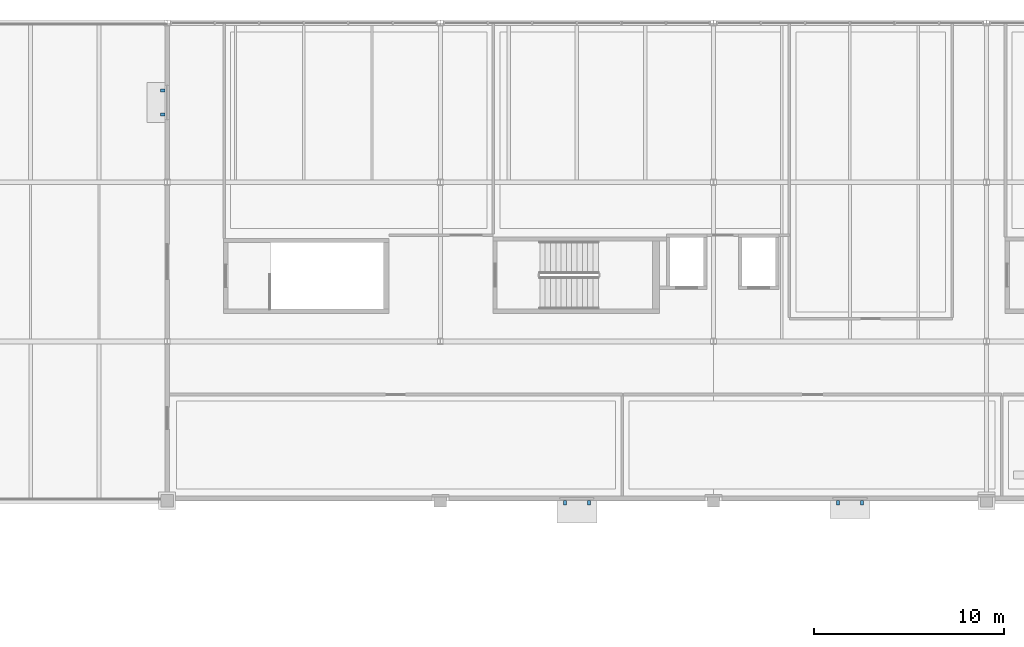
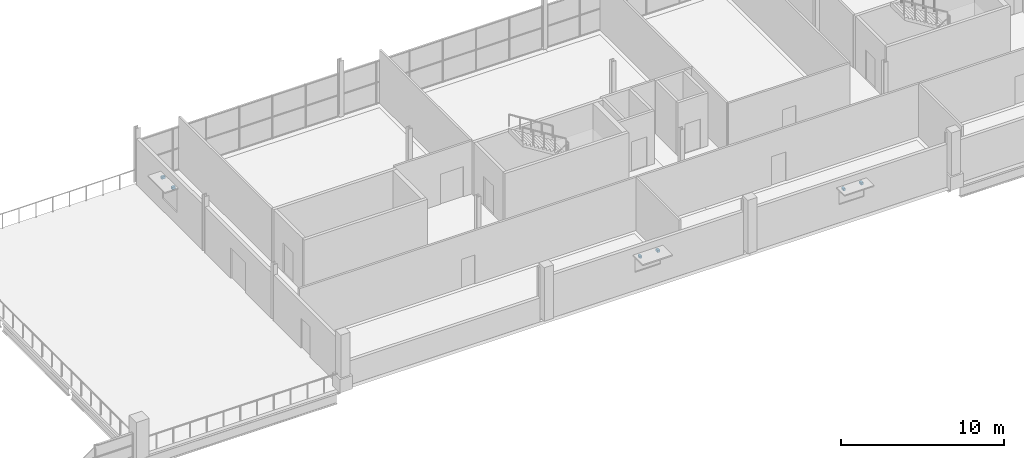
# One storey, part 61 of 68: 6 discrete accessories.
"""IFC4 building model written with IfcOpenShell, lengths in metres."""

from ifc_helpers import new_model, si_unit, direction, frame, origin, origin_2d, place, context, subcontext, project, spatial, rectangle, extrude, material, type_object, element, save


model = new_model("IFC4")

# Units and contexts
model_context = context("Model", 3, precision=1e-05, world=origin(), true_north=direction((0.0, 1.0)))
body_context = subcontext(model_context, "Body", "Model", "MODEL_VIEW")
ifc_project = project(units=[si_unit("LENGTHUNIT", "METRE"), si_unit("AREAUNIT", "SQUARE_METRE"), si_unit("VOLUMEUNIT", "CUBIC_METRE"), si_unit("PLANEANGLEUNIT", "RADIAN"), si_unit("MASSUNIT", "GRAM", prefix="KILO"), si_unit("THERMODYNAMICTEMPERATUREUNIT", "KELVIN")], contexts=[model_context])

# Site, building, storey
site_placement = place(None, origin())
site = spatial("IfcSite", under=ifc_project, at=site_placement, CompositionType="ELEMENT")
building_placement = place(site_placement, origin())
building = spatial("IfcBuilding", under=site, at=building_placement, Name="Nduvali Passage Aquatics Centre", CompositionType="ELEMENT")
storey_placement = place(building_placement, frame((0.0, 0.0, 13.199951171875)))
storey = spatial("IfcBuildingStorey", under=building, at=storey_placement, Name="L03", CompositionType="ELEMENT", Elevation=13.199951171875)

# Discrete accessories
ifc_material = material(Name="Steel S355", Category="steel")
discrete_accessory_type = type_object("IfcDiscreteAccessoryType", Name="ENV-BRK-S355", PredefinedType="BRACKET", material=ifc_material)
for number, where, z_axis, x_axis, name in (
    (1, (53.77001953125, 114.030029296875, 2.5849609375), (0.0, 0.0, 1.0), (0.0, -1.0, 0.0), "L03 Sunshade Bracket 0137"),
    (2, (53.77001953125, 112.77001953125, 2.5849609375), (0.0, 0.0, 1.0), (0.0, -1.0, 0.0), "L03 Sunshade Bracket 0138"),
    (3, (74.969970703125, 92.300048828125, 2.43017578125), (0.0, 0.0, 1.0), (1.0, 0.0, 0.0), "L03 Sunshade Bracket 0139"),
    (4, (76.22998046875, 92.300048828125, 2.43017578125), (0.0, 0.0, 1.0), (1.0, 0.0, 0.0), "L03 Sunshade Bracket 0140"),
    (5, (89.3701171875, 92.300048828125, 2.43505859375), (0.0, 0.0, 1.0), (1.0, 0.0, 0.0), "L03 Sunshade Bracket 0141"),
    (6, (90.6298828125, 92.300048828125, 2.43505859375), (0.0, 0.0, 1.0), (1.0, 0.0, 0.0), "L03 Sunshade Bracket 0142"),
):
    element("IfcDiscreteAccessory", number, at=place(storey_placement, frame(where, z_axis=z_axis, x_axis=x_axis)), inside=storey, type_object=discrete_accessory_type, Name=name, PredefinedType="BRACKET", context=body_context, shape_type="SweptSolid", body=[
        extrude(rectangle(XDim=0.159912109375, YDim=0.239990234375, at=origin_2d()), origin(), (0.0, 0.0, 1.0), 0.179931640625),
    ])

save(model, "model.ifc")
